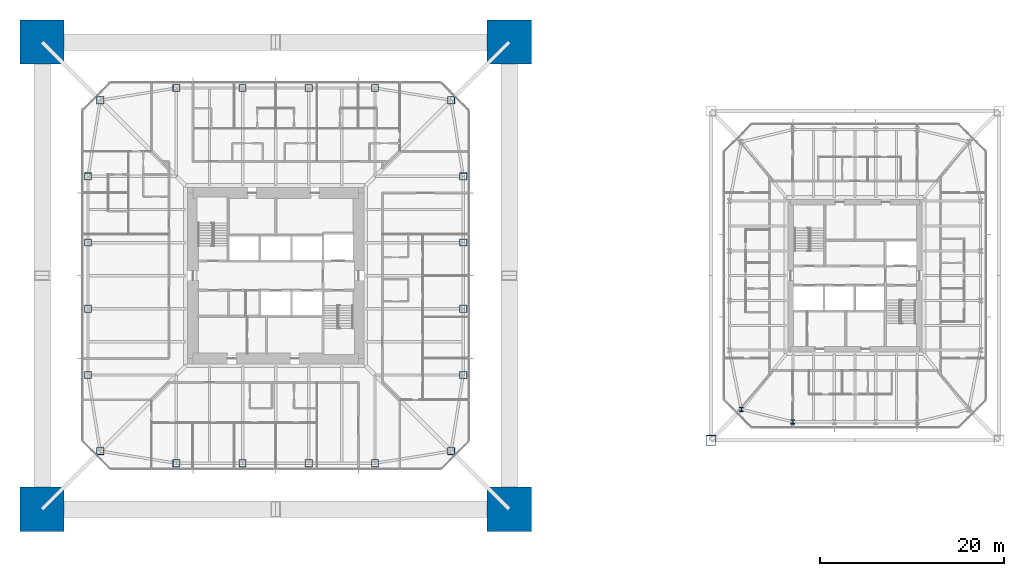
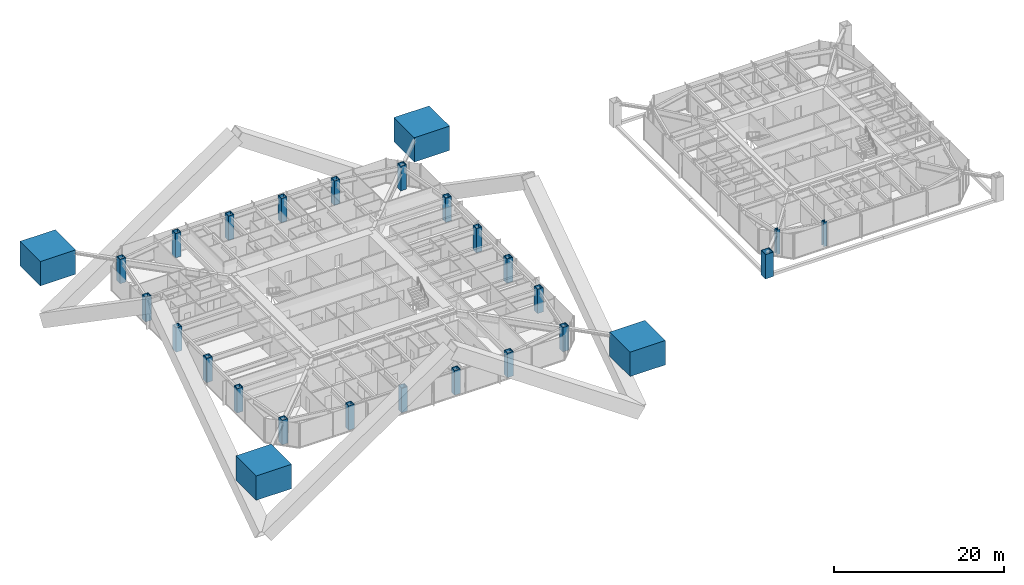
# One storey, part 1 of 26: 27 columns.
"""IFC4 building model written with IfcOpenShell, lengths in metres."""

from ifc_helpers import new_model, si_unit, direction, frame, origin, origin_2d, place, context, subcontext, project, spatial, rectangle, hollow_rectangle, i_section, extrude, material, material_profile, profile_set, type_object, element, save


model = new_model("IFC4")

# Units and contexts
model_context = context("Model", 3, precision=1e-05, world=origin(), true_north=direction((0.0, 1.0)))
body_context = subcontext(model_context, "Body", "Model", "MODEL_VIEW")
ifc_project = project(units=[si_unit("LENGTHUNIT", "METRE"), si_unit("AREAUNIT", "SQUARE_METRE"), si_unit("VOLUMEUNIT", "CUBIC_METRE"), si_unit("PLANEANGLEUNIT", "RADIAN"), si_unit("MASSUNIT", "GRAM", prefix="KILO")], contexts=[model_context])

# Site, building, storey
site_placement = place(None, origin())
site = spatial("IfcSite", under=ifc_project, at=site_placement, CompositionType="ELEMENT")
building_placement = place(site_placement, origin())
building = spatial("IfcBuilding", under=site, at=building_placement, Name="Iwan Alto Co-Living Towers", CompositionType="ELEMENT")
storey_placement = place(building_placement, frame((0.0, 0.0, 115.5)))
storey = spatial("IfcBuildingStorey", under=building, at=storey_placement, Name="L31", CompositionType="ELEMENT", Elevation=115.5)

# Columns
ifc_material_1 = material(Name="Concrete f'c 70 MPa", Category="concrete")
ifc_material_profile_1 = material_profile(ifc_material_1, rectangle(XDim=4.800048828125, YDim=4.800048828125, at=origin_2d()), Name="RC 4800X4800")
ifc_profile_set_1 = profile_set([ifc_material_profile_1], Name="Concrete f'c 70 MPa")
column_type_1 = type_object("IfcColumnType", Name="T1 MEGA COLUMN RC 4800X4800", PredefinedType="COLUMN", material=ifc_profile_set_1)
for number, where, z_axis, x_axis, name in (
    (1, (-25.39990234375, -25.39990234375, 0.0), (0.0, 0.0, 1.0), (1.0, 0.0, 0.0), "T1 mega column SW L31"),
    (2, (25.39990234375, -25.39990234375, 0.0), (0.0, 0.0, 1.0), (1.0, 0.0, 0.0), "T1 mega column SE L31"),
    (3, (25.39990234375, 25.39990234375, 0.0), (0.0, 0.0, 1.0), (1.0, 0.0, 0.0), "T1 mega column NE L31"),
    (4, (-25.39990234375, 25.39990234375, 0.0), (0.0, 0.0, 1.0), (1.0, 0.0, 0.0), "T1 mega column NW L31"),
):
    element("IfcColumn", number, at=place(storey_placement, frame(where, z_axis=z_axis, x_axis=x_axis)), inside=storey, type_object=column_type_1, Name=name, PredefinedType="COLUMN", context=body_context, shape_type="SweptSolid", body=[
        extrude(rectangle(XDim=4.800048828125, YDim=4.800048828125, at=origin_2d()), origin(), (0.0, 0.0, 1.0), 3.5),
        extrude(i_section(OverallWidth=0.4775390625, OverallDepth=0.599365234375, WebThickness=0.10009765625, FlangeThickness=0.139892578125, at=origin_2d()), origin(), (0.0, 0.0, 1.0), 3.5),
    ])
ifc_material_2 = material(Name="Steel ASTM A572 Gr 50", Category="steel")
ifc_material_profile_2 = material_profile(ifc_material_2, hollow_rectangle(XDim=0.800048828125, YDim=0.800048828125, WallThickness=0.070068359375, at=origin_2d()), Name="BOX 800X800X70")
ifc_profile_set_2 = profile_set([ifc_material_profile_2], Name="Steel ASTM A572 Gr 50")
column_type_2 = type_object("IfcColumnType", Name="T1 RING COLUMN BOX 800X800X70", PredefinedType="COLUMN", material=ifc_profile_set_2)
for number, where, z_axis, x_axis, name in (
    (5, (-19.07568359375, -19.07568359375, 0.0), (0.0, 0.0, 1.0), (1.0, 0.0, 0.0), "T1 ring column CSW L31"),
    (6, (-10.800048828125, -20.39990234375, 0.0), (0.0, 0.0, 1.0), (1.0, 0.0, 0.0), "T1 ring column S1 L31"),
    (7, (-3.60009765625, -20.39990234375, 0.0), (0.0, 0.0, 1.0), (1.0, 0.0, 0.0), "T1 ring column S2 L31"),
    (8, (3.60009765625, -20.39990234375, 0.0), (0.0, 0.0, 1.0), (1.0, 0.0, 0.0), "T1 ring column S3 L31"),
    (9, (10.800048828125, -20.39990234375, 0.0), (0.0, 0.0, 1.0), (1.0, 0.0, 0.0), "T1 ring column S4 L31"),
    (10, (19.07568359375, -19.07568359375, 0.0), (0.0, 0.0, 1.0), (1.0, 0.0, 0.0), "T1 ring column CSE L31"),
    (11, (20.39990234375, -10.800048828125, 0.0), (0.0, 0.0, 1.0), (1.0, 0.0, 0.0), "T1 ring column E1 L31"),
    (12, (20.39990234375, -3.60009765625, 0.0), (0.0, 0.0, 1.0), (1.0, 0.0, 0.0), "T1 ring column E2 L31"),
    (13, (20.39990234375, 3.60009765625, 0.0), (0.0, 0.0, 1.0), (1.0, 0.0, 0.0), "T1 ring column E3 L31"),
    (14, (20.39990234375, 10.800048828125, 0.0), (0.0, 0.0, 1.0), (1.0, 0.0, 0.0), "T1 ring column E4 L31"),
    (15, (19.07568359375, 19.07568359375, 0.0), (0.0, 0.0, 1.0), (1.0, 0.0, 0.0), "T1 ring column CNE L31"),
    (16, (10.800048828125, 20.39990234375, 0.0), (0.0, 0.0, 1.0), (1.0, 0.0, 0.0), "T1 ring column N1 L31"),
    (17, (3.60009765625, 20.39990234375, 0.0), (0.0, 0.0, 1.0), (1.0, 0.0, 0.0), "T1 ring column N2 L31"),
    (18, (-3.60009765625, 20.39990234375, 0.0), (0.0, 0.0, 1.0), (1.0, 0.0, 0.0), "T1 ring column N3 L31"),
    (19, (-10.800048828125, 20.39990234375, 0.0), (0.0, 0.0, 1.0), (1.0, 0.0, 0.0), "T1 ring column N4 L31"),
    (20, (-19.07568359375, 19.07568359375, 0.0), (0.0, 0.0, 1.0), (1.0, 0.0, 0.0), "T1 ring column CNW L31"),
    (21, (-20.39990234375, 10.800048828125, 0.0), (0.0, 0.0, 1.0), (1.0, 0.0, 0.0), "T1 ring column W1 L31"),
    (22, (-20.39990234375, 3.60009765625, 0.0), (0.0, 0.0, 1.0), (1.0, 0.0, 0.0), "T1 ring column W2 L31"),
    (23, (-20.39990234375, -3.60009765625, 0.0), (0.0, 0.0, 1.0), (1.0, 0.0, 0.0), "T1 ring column W3 L31"),
    (24, (-20.39990234375, -10.800048828125, 0.0), (0.0, 0.0, 1.0), (1.0, 0.0, 0.0), "T1 ring column W4 L31"),
):
    element("IfcColumn", number, at=place(storey_placement, frame(where, z_axis=z_axis, x_axis=x_axis)), inside=storey, type_object=column_type_2, Name=name, PredefinedType="COLUMN", context=body_context, shape_type="SweptSolid", body=[
        extrude(hollow_rectangle(XDim=0.800048828125, YDim=0.800048828125, WallThickness=0.070068359375, at=origin_2d()), origin(), (0.0, 0.0, 1.0), 3.5),
    ])
ifc_material_3 = material(Name="Steel ASTM A572 Gr 50", Category="steel")
ifc_material_profile_3 = material_profile(ifc_material_3, hollow_rectangle(XDim=1.10009765625, YDim=1.10009765625, WallThickness=0.06005859375, at=origin_2d()), Name="BOX 1100X1100X60")
ifc_profile_set_3 = profile_set([ifc_material_profile_3], Name="Steel ASTM A572 Gr 50")
column_type_3 = type_object("IfcColumnType", Name="T2 MEGA COLUMN BOX 1100X1100X60", PredefinedType="COLUMN", material=ifc_profile_set_3)
column_placement = place(storey_placement, frame((47.35009765625, -17.89990234375, 0.0), z_axis=(0.0, 0.0, 1.0), x_axis=(1.0, 0.0, 0.0)))
element("IfcColumn", 25, at=column_placement, inside=storey, type_object=column_type_3, Name="T2 mega column SW L31", PredefinedType="COLUMN", context=body_context, shape_type="SweptSolid", body=[
    extrude(hollow_rectangle(XDim=1.10009765625, YDim=1.10009765625, WallThickness=0.06005859375, at=origin_2d()), origin(), (0.0, 0.0, 1.0), 3.5),
])
ifc_material_4 = material(Name="Steel ASTM A992 Gr 50", Category="steel")
ifc_material_profile_4 = material_profile(ifc_material_4, i_section(OverallWidth=0.4267578125, OverallDepth=0.482666015625, WebThickness=0.05126953125, FlangeThickness=0.08154296875, at=origin_2d()), Name="W14X455")
ifc_profile_set_4 = profile_set([ifc_material_profile_4], Name="Steel ASTM A992 Gr 50")
column_type_4 = type_object("IfcColumnType", Name="T2 RING COLUMN W14X455", PredefinedType="COLUMN", material=ifc_profile_set_4)
for number, where, z_axis, x_axis, name in (
    (26, (50.638671875, -14.542724609375, 0.0), (0.0, 0.0, 1.0), (1.0, 0.0, 0.0), "T2 ring column CSW L31"),
    (27, (56.25, -15.89990234375, 0.0), (0.0, 0.0, 1.0), (1.0, 0.0, 0.0), "T2 ring column S1 L31"),
):
    element("IfcColumn", number, at=place(storey_placement, frame(where, z_axis=z_axis, x_axis=x_axis)), inside=storey, type_object=column_type_4, Name=name, PredefinedType="COLUMN", context=body_context, shape_type="SweptSolid", body=[
        extrude(i_section(OverallWidth=0.4267578125, OverallDepth=0.482666015625, WebThickness=0.05126953125, FlangeThickness=0.08154296875, at=origin_2d()), origin(), (0.0, 0.0, 1.0), 3.5),
    ])

save(model, "model.ifc")
